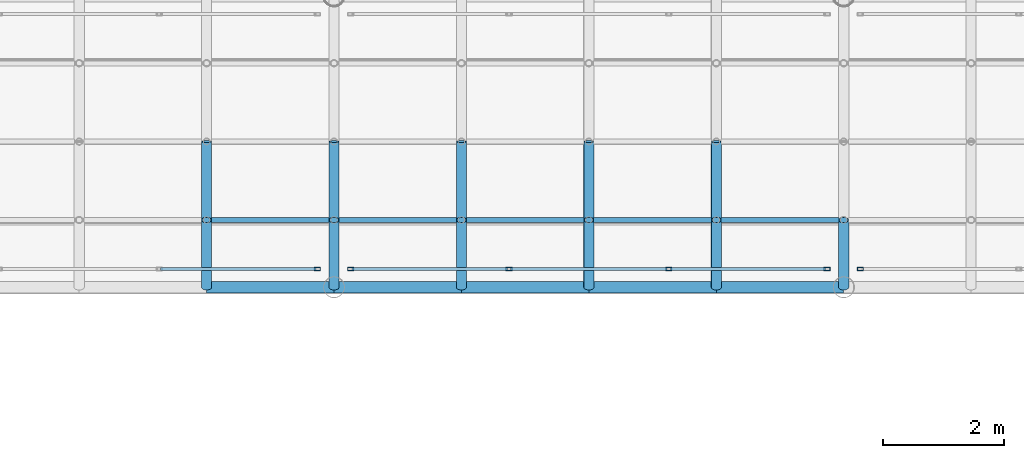
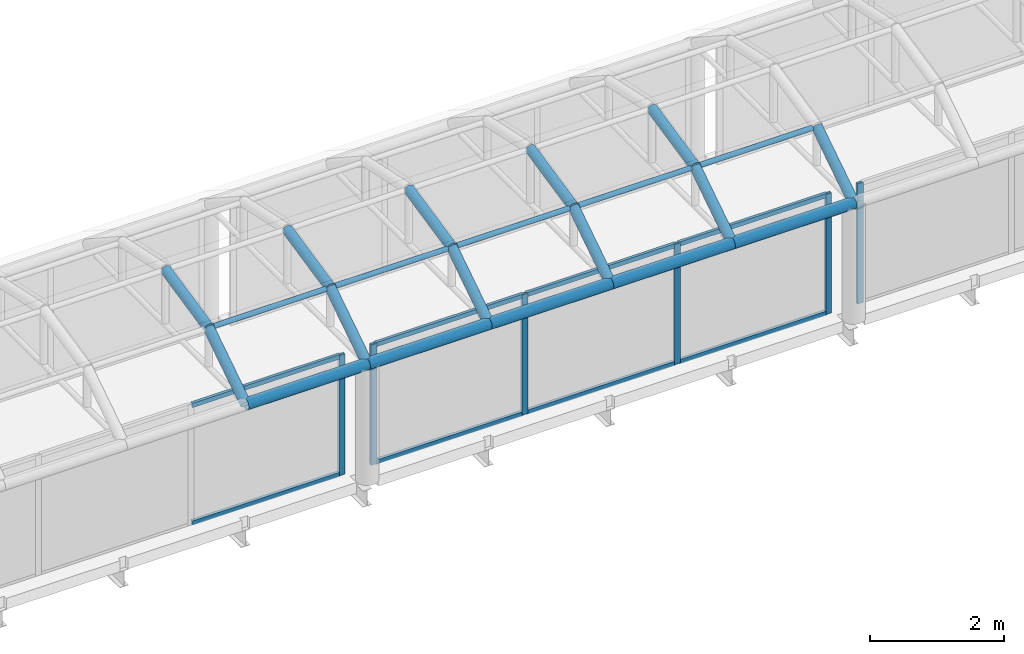
# One storey, part 99 of 167: 35 members, 3 elements without a shape of their own.
"""IFC4 building model written with IfcOpenShell, lengths in metres."""

import ifcopenshell
import ifcopenshell.guid

model = None  # the IFC model being written
_history = None  # IfcOwnerHistory: only IFC2X3 demands one
_inside = {}  # id of a spatial element -> (the spatial element, [elements in it])
_under = {}  # id of a project, library or spatial element -> (it, [spatial elements below it])
_declared = {}  # id of a project -> (the project, [libraries it declares])
_typed = {}  # id of a type object -> (the type object, [elements of that type])
_made_of = {}  # id of a material, layer set ... -> (it, [elements and type objects made of it])


def new_model(schema):
    """Start an empty IFC model of exactly this schema.

    Asked for "IFC4X3", IfcOpenShell would pick the latest addendum, in which some entities
    have other attributes; the version numbers below select the first issue.
    IFC2X3 requires an IfcOwnerHistory on every rooted entity: one is made here for all.
    """
    global model, _history
    if schema == "IFC4X3":
        model = ifcopenshell.file(schema_version=(4, 3, 0, 0))
    else:
        model = ifcopenshell.file(schema=schema)
    _inside.clear()
    _under.clear()
    _declared.clear()
    _typed.clear()
    _made_of.clear()
    _history = None
    if model.schema == "IFC2X3":
        org = make("IfcOrganization", Name="unknown")
        user = make(
            "IfcPersonAndOrganization",
            ThePerson=make("IfcPerson", FamilyName="unknown"),
            TheOrganization=org,
        )
        app = make(
            "IfcApplication",
            ApplicationDeveloper=org,
            Version="unknown",
            ApplicationFullName="unknown",
            ApplicationIdentifier="unknown",
        )
        _history = make(
            "IfcOwnerHistory",
            OwningUser=user,
            OwningApplication=app,
            ChangeAction="ADDED",
            CreationDate=0,
        )
    return model


def make(cls, **values):
    """One entity of the class cls with the attributes given. An attribute that is None is left unset."""
    return model.create_entity(
        cls, **{name: value for name, value in values.items() if value is not None}
    )


def rooted(cls, **values):
    """An entity with a GlobalId (a new one), such as an element, a storey or a relation."""
    return make(cls, GlobalId=ifcopenshell.guid.new(), OwnerHistory=_history, **values)


def si_unit(unit_type, name, prefix=None):
    """IfcSIUnit, for example si_unit("LENGTHUNIT", "METRE", prefix="MILLI")."""
    return make("IfcSIUnit", UnitType=unit_type, Prefix=prefix, Name=name)


def assignment(units):
    """IfcUnitAssignment: the units of a project."""
    return None if units is None else make("IfcUnitAssignment", Units=units)


def point(xyz):
    """IfcCartesianPoint."""
    return None if xyz is None else make("IfcCartesianPoint", Coordinates=xyz)


def direction(xyz):
    """IfcDirection."""
    return None if xyz is None else make("IfcDirection", DirectionRatios=xyz)


def frame(location, z_axis=None, x_axis=None):
    """IfcAxis2Placement3D, a coordinate frame: its origin and axes. An axis left out is left unset."""
    return make(
        "IfcAxis2Placement3D",
        Location=point(location),
        Axis=direction(z_axis),
        RefDirection=direction(x_axis),
    )


def frame_2d(location, x_axis=None):
    """IfcAxis2Placement2D, a coordinate frame in the plane: its origin and x axis."""
    return make(
        "IfcAxis2Placement2D", Location=point(location), RefDirection=direction(x_axis)
    )


def origin():
    """The frame at (0, 0, 0) with its axes left unset."""
    return frame((0.0, 0.0, 0.0))


def origin_2d():
    """The frame at (0, 0) in the plane with its x axis left unset."""
    return frame_2d((0.0, 0.0))


def place(relative_to, where):
    """IfcLocalPlacement: puts the frame where relative to a parent placement (None: the world)."""
    return make(
        "IfcLocalPlacement", PlacementRelTo=relative_to, RelativePlacement=where
    )


def context(
    kind, dimensions, precision=None, world=None, true_north=None, identifier=None
):
    """IfcGeometricRepresentationContext, for example the 3D "Model" context."""
    return make(
        "IfcGeometricRepresentationContext",
        ContextIdentifier=identifier,
        ContextType=kind,
        CoordinateSpaceDimension=dimensions,
        Precision=precision,
        WorldCoordinateSystem=world,
        TrueNorth=true_north,
    )


def subcontext(parent, identifier, kind, view, scale=None):
    """IfcGeometricRepresentationSubContext, for example "Body" below "Model"."""
    return make(
        "IfcGeometricRepresentationSubContext",
        ContextIdentifier=identifier,
        ContextType=kind,
        ParentContext=parent,
        TargetScale=scale,
        TargetView=view,
    )


def project(units=None, contexts=None):
    """IfcProject with its units and contexts."""
    return rooted(
        "IfcProject",
        Name="project",
        RepresentationContexts=contexts,
        UnitsInContext=assignment(units),
    )


def spatial(cls, under=None, at=None, **own):
    """A site, building, storey or space (cls), placed at a placement, below another one or the project."""
    s = rooted(cls, ObjectPlacement=at, **own)
    if under is not None:
        _under.setdefault(under.id(), (under, []))[1].append(s)
    return s


def profile(cls, at=None, kind="AREA", **sizes):
    """A parametric profile (cls). Its sizes go by their IFC names, for example OverallWidth=200.0."""
    return make(cls, ProfileType=kind, Position=at, **sizes)


def hollow_rectangle(**sizes):
    """IfcRectangleHollowProfileDef."""
    return profile("IfcRectangleHollowProfileDef", **sizes)


def hollow_circle(**sizes):
    """IfcCircleHollowProfileDef."""
    return profile("IfcCircleHollowProfileDef", **sizes)


def extrude(swept, where, along, depth):
    """IfcExtrudedAreaSolid: the profile swept, set in the frame where, extruded along a direction by depth."""
    return make(
        "IfcExtrudedAreaSolid",
        SweptArea=swept,
        Position=where,
        ExtrudedDirection=direction(along),
        Depth=depth,
    )


def shape(context_of_items, identifier, shape_type, items):
    """IfcShapeRepresentation: the items that make up one representation, for example the "Body"."""
    return make(
        "IfcShapeRepresentation",
        ContextOfItems=context_of_items,
        RepresentationIdentifier=identifier,
        RepresentationType=shape_type,
        Items=items,
    )


def material(Name=None, Category=None):
    """IfcMaterial."""
    return make("IfcMaterial", Name=Name, Category=Category)


def material_profile(
    of_material, cross_section, Name=None, Category=None, Priority=None
):
    """IfcMaterialProfile: a cross section and its material."""
    return make(
        "IfcMaterialProfile",
        Name=Name,
        Material=of_material,
        Profile=cross_section,
        Priority=Priority,
        Category=Category,
    )


def profile_set(profiles, Name=None, composite=None):
    """IfcMaterialProfileSet."""
    return make(
        "IfcMaterialProfileSet",
        Name=Name,
        MaterialProfiles=profiles,
        CompositeProfile=composite,
    )


def made_of(thing, what):
    """Note that an element or type object is made of a material, layer set ...; save() writes the relation."""
    if what is not None:
        _made_of.setdefault(what.id(), (what, []))[1].append(thing)
    return thing


def type_object(cls, material=None, **own):
    """A type object (cls), such as IfcWallType, which elements share."""
    return made_of(rooted(cls, **own), material)


def element(
    cls,
    number,
    at=None,
    inside=None,
    cuts=None,
    type_object=None,
    material=None,
    context=None,
    identifier="Body",
    shape_type=None,
    held_by="IfcProductDefinitionShape",
    body=None,
    shapes=None,
    **own,
):
    """One element of the class cls, such as IfcWall. Its Tag is "e" and its number.

    at: its placement. inside: the storey or other place that contains it. cuts: it is an
    opening in that element (IfcRelVoidsElement). A single representation is given by context,
    identifier, shape_type and body (its items); several are given by shapes. held_by: the class
    of the entity that holds the representations. save() writes the other relations.
    """
    e = rooted(cls, Tag="e%d" % number, ObjectPlacement=at, **own)
    if body is not None:
        shapes = [shape(context, identifier, shape_type, body)]
    if shapes is not None:
        e.Representation = make(held_by, Representations=shapes)
    if inside is not None:
        _inside.setdefault(inside.id(), (inside, []))[1].append(e)
    if cuts is not None:
        rooted(
            "IfcRelVoidsElement", RelatingBuildingElement=cuts, RelatedOpeningElement=e
        )
    if type_object is not None:
        _typed.setdefault(type_object.id(), (type_object, []))[1].append(e)
    return made_of(e, material)


def aggregate(whole, parts):
    """IfcRelAggregates: a whole, such as a stair, and the parts it consists of."""
    return rooted("IfcRelAggregates", RelatingObject=whole, RelatedObjects=parts)


def save(model, path):
    """Write the relations noted so far, then the file.

    IfcRelAggregates (storeys below a building ...), IfcRelContainedInSpatialStructure (elements
    in a storey), IfcRelDefinesByType, IfcRelAssociatesMaterial and IfcRelDeclares: one each for
    every whole, place, type object, material and project.
    """
    for whole, parts in _under.values():
        aggregate(whole, parts)
    for where, things in _inside.values():
        rooted(
            "IfcRelContainedInSpatialStructure",
            RelatedElements=things,
            RelatingStructure=where,
        )
    for kind, things in _typed.values():
        rooted("IfcRelDefinesByType", RelatedObjects=things, RelatingType=kind)
    for what, things in _made_of.values():
        rooted("IfcRelAssociatesMaterial", RelatedObjects=things, RelatingMaterial=what)
    for by, libraries in _declared.values():
        rooted("IfcRelDeclares", RelatingContext=by, RelatedDefinitions=libraries)
    model.write(path)


model = new_model("IFC4")

# Units and contexts
model_context = context("Model", 3, precision=1e-05, world=origin(), true_north=direction((0.0, 1.0)))
body_context = subcontext(model_context, "Body", "Model", "MODEL_VIEW")
ifc_project = project(units=[si_unit("LENGTHUNIT", "METRE"), si_unit("AREAUNIT", "SQUARE_METRE"), si_unit("VOLUMEUNIT", "CUBIC_METRE"), si_unit("PLANEANGLEUNIT", "RADIAN"), si_unit("MASSUNIT", "GRAM", prefix="KILO")], contexts=[model_context])

# Site, building, storey
site_placement = place(None, origin())
site = spatial("IfcSite", under=ifc_project, at=site_placement, CompositionType="ELEMENT")
building_placement = place(site_placement, origin())
building = spatial("IfcBuilding", under=site, at=building_placement, Name="Catenary Quay Ferry Terminal", CompositionType="ELEMENT")
storey_placement = place(building_placement, frame((0.0, 0.0, 6.0)))
storey = spatial("IfcBuildingStorey", under=building, at=storey_placement, Name="L01", CompositionType="ELEMENT", Elevation=6.0)

# Curtain wall, member
ifc_material_1 = material(Name="Aluminium and glass", Category="aluminium")
curtain_wall_type = type_object("IfcCurtainWallType", Name="CWB", PredefinedType="NOTDEFINED", material=ifc_material_1)
curtain_wall_1_placement = place(storey_placement, origin())
curtain_wall_1 = element("IfcCurtainWall", 1, at=curtain_wall_1_placement, inside=storey, type_object=curtain_wall_type, Name="BB2 curtain wall CW65", PredefinedType="NOTDEFINED")
ifc_material_2 = material(Name="Aluminium", Category="aluminium")
ifc_material_profile_1 = material_profile(ifc_material_2, hollow_rectangle(XDim=0.050048828125, YDim=0.10009765625, WallThickness=0.0048828125, at=origin_2d()), Name="MU1")
ifc_profile_set_1 = profile_set([ifc_material_profile_1], Name="Aluminium")
member_type_1 = type_object("IfcMemberType", Name="MU1", PredefinedType="MULLION", material=ifc_profile_set_1)
member_1_placement = place(storey_placement, frame((108.925048828125, 90.300048828125, 0.0), z_axis=(0.0, 0.0, 1.0), x_axis=(0.0, 1.0, 0.0)))
member_1 = element("IfcMember", 2, at=member_1_placement, type_object=member_type_1, Name="CW65 mullion 4", PredefinedType="MULLION", context=body_context, shape_type="SweptSolid", body=[
    extrude(hollow_rectangle(XDim=0.050048828125, YDim=0.10009765625, WallThickness=0.0048828125, at=origin_2d()), origin(), (0.0, 0.0, 1.0), 2.195068359375),
])

# Curtain wall, members
curtain_wall_2_placement = place(storey_placement, origin())
curtain_wall_2 = element("IfcCurtainWall", 3, at=curtain_wall_2_placement, inside=storey, type_object=curtain_wall_type, Name="BB2 curtain wall CW66", PredefinedType="NOTDEFINED")
member_2_placement = place(storey_placement, frame((109.47509765625, 90.300048828125, 0.0), z_axis=(0.0, 0.0, 1.0), x_axis=(0.0, 1.0, 0.0)))
member_2 = element("IfcMember", 4, at=member_2_placement, type_object=member_type_1, Name="CW66 mullion 1", PredefinedType="MULLION", context=body_context, shape_type="SweptSolid", body=[
    extrude(hollow_rectangle(XDim=0.050048828125, YDim=0.10009765625, WallThickness=0.0048828125, at=origin_2d()), origin(), (0.0, 0.0, 1.0), 2.195068359375),
])
member_3_placement = place(storey_placement, frame((112.083251953125, 90.300048828125, 0.0), z_axis=(0.0, 0.0, 1.0), x_axis=(0.0, 1.0, 0.0)))
member_3 = element("IfcMember", 5, at=member_3_placement, type_object=member_type_1, Name="CW66 mullion 2", PredefinedType="MULLION", context=body_context, shape_type="SweptSolid", body=[
    extrude(hollow_rectangle(XDim=0.050048828125, YDim=0.10009765625, WallThickness=0.0048828125, at=origin_2d()), origin(), (0.0, 0.0, 1.0), 2.195068359375),
])
member_4_placement = place(storey_placement, frame((114.716552734375, 90.300048828125, 0.0), z_axis=(0.0, 0.0, 1.0), x_axis=(0.0, 1.0, 0.0)))
member_4 = element("IfcMember", 6, at=member_4_placement, type_object=member_type_1, Name="CW66 mullion 3", PredefinedType="MULLION", context=body_context, shape_type="SweptSolid", body=[
    extrude(hollow_rectangle(XDim=0.050048828125, YDim=0.10009765625, WallThickness=0.0048828125, at=origin_2d()), origin(), (0.0, 0.0, 1.0), 2.195068359375),
])
member_5_placement = place(storey_placement, frame((117.324951171875, 90.300048828125, 0.0), z_axis=(0.0, 0.0, 1.0), x_axis=(0.0, 1.0, 0.0)))
member_5 = element("IfcMember", 7, at=member_5_placement, type_object=member_type_1, Name="CW66 mullion 4", PredefinedType="MULLION", context=body_context, shape_type="SweptSolid", body=[
    extrude(hollow_rectangle(XDim=0.050048828125, YDim=0.10009765625, WallThickness=0.0048828125, at=origin_2d()), origin(), (0.0, 0.0, 1.0), 2.195068359375),
])

# Curtain wall, member
curtain_wall_3_placement = place(storey_placement, origin())
curtain_wall_3 = element("IfcCurtainWall", 8, at=curtain_wall_3_placement, inside=storey, type_object=curtain_wall_type, Name="BB2 curtain wall CW67", PredefinedType="NOTDEFINED")
member_6_placement = place(storey_placement, frame((117.875, 90.300048828125, 0.0), z_axis=(0.0, 0.0, 1.0), x_axis=(0.0, 1.0, 0.0)))
member_6 = element("IfcMember", 9, at=member_6_placement, type_object=member_type_1, Name="CW67 mullion 1", PredefinedType="MULLION", context=body_context, shape_type="SweptSolid", body=[
    extrude(hollow_rectangle(XDim=0.050048828125, YDim=0.10009765625, WallThickness=0.0048828125, at=origin_2d()), origin(), (0.0, 0.0, 1.0), 2.195068359375),
])
aggregate(curtain_wall_3, [member_6])

# Members
ifc_material_3 = material(Name="Steel S355", Category="steel")
ifc_material_profile_2 = material_profile(ifc_material_3, hollow_circle(Radius=0.04443359375, WallThickness=0.0048828125, at=origin_2d()), Name="CHS 88.9x5")
ifc_profile_set_2 = profile_set([ifc_material_profile_2], Name="Steel S355")
member_type_2 = type_object("IfcMemberType", Name="PU3 CHS 88.9x5", PredefinedType="PURLIN", material=ifc_profile_set_2)
member_7_placement = place(storey_placement, frame((107.179931640625, 91.10791015625, 2.821044921875), z_axis=(1.0, 0.0, 0.0), x_axis=(0.0, 1.0, 0.0)))
element("IfcMember", 10, at=member_7_placement, inside=storey, type_object=member_type_2, Name="Purlin PU-RB2-08-01", PredefinedType="PURLIN", context=body_context, shape_type="SweptSolid", body=[
    extrude(hollow_circle(Radius=0.04443359375, WallThickness=0.0048828125, at=origin_2d()), origin(), (0.0, 0.0, 1.0), 1.940185546875),
])
member_8_placement = place(storey_placement, frame((109.280029296875, 91.10791015625, 2.821044921875), z_axis=(1.0, 0.0, 0.0), x_axis=(0.0, 1.0, 0.0)))
element("IfcMember", 11, at=member_8_placement, inside=storey, type_object=member_type_2, Name="Purlin PU-RB2-09-01", PredefinedType="PURLIN", context=body_context, shape_type="SweptSolid", body=[
    extrude(hollow_circle(Radius=0.04443359375, WallThickness=0.0048828125, at=origin_2d()), origin(), (0.0, 0.0, 1.0), 1.93994140625),
])
member_9_placement = place(storey_placement, frame((111.3798828125, 91.10791015625, 2.821044921875), z_axis=(1.0, 0.0, 0.0), x_axis=(0.0, 1.0, 0.0)))
element("IfcMember", 12, at=member_9_placement, inside=storey, type_object=member_type_2, Name="Purlin PU-RB2-10-01", PredefinedType="PURLIN", context=body_context, shape_type="SweptSolid", body=[
    extrude(hollow_circle(Radius=0.04443359375, WallThickness=0.0048828125, at=origin_2d()), origin(), (0.0, 0.0, 1.0), 1.940185546875),
])
for number, where, z_axis, x_axis, name in (
    (13, (113.47998046875, 91.10791015625, 2.821044921875), (1.0, 0.0, 0.0), (0.0, 1.0, 0.0), "Purlin PU-RB2-11-01"),
    (14, (115.580078125, 91.10791015625, 2.821044921875), (1.0, 0.0, 0.0), (0.0, 1.0, 0.0), "Purlin PU-RB2-12-01"),
):
    element("IfcMember", number, at=place(storey_placement, frame(where, z_axis=z_axis, x_axis=x_axis)), inside=storey, type_object=member_type_2, Name=name, PredefinedType="PURLIN", context=body_context, shape_type="SweptSolid", body=[
        extrude(hollow_circle(Radius=0.04443359375, WallThickness=0.0048828125, at=origin_2d()), origin(), (0.0, 0.0, 1.0), 1.93994140625),
    ])
ifc_material_4 = material(Name="Steel S355", Category="steel")
ifc_material_profile_3 = material_profile(ifc_material_4, hollow_circle(Radius=0.096923828125, WallThickness=0.010009765625, at=origin_2d()), Name="CHS 193.7x10")
ifc_profile_set_3 = profile_set([ifc_material_profile_3], Name="Steel S355")
member_type_3 = type_object("IfcMemberType", Name="TC2 CHS 193.7x10", PredefinedType="CHORD", material=ifc_profile_set_3)
member_10_placement = place(storey_placement, frame((107.10009765625, 90.0, 2.10009765625), z_axis=(1.0, 0.0, 0.0), x_axis=(0.0, 1.0, 0.0)))
element("IfcMember", 15, at=member_10_placement, inside=storey, type_object=member_type_3, Name="Bridge top chord BB2S-TC08", PredefinedType="CHORD", context=body_context, shape_type="SweptSolid", body=[
    extrude(hollow_circle(Radius=0.096923828125, WallThickness=0.010009765625, at=origin_2d()), origin(), (0.0, 0.0, 1.0), 2.099853515625),
])
member_11_placement = place(storey_placement, frame((109.199951171875, 90.0, 2.10009765625), z_axis=(1.0, 0.0, 0.0), x_axis=(0.0, 1.0, 0.0)))
element("IfcMember", 16, at=member_11_placement, inside=storey, type_object=member_type_3, Name="Bridge top chord BB2S-TC09", PredefinedType="CHORD", context=body_context, shape_type="SweptSolid", body=[
    extrude(hollow_circle(Radius=0.096923828125, WallThickness=0.010009765625, at=origin_2d()), origin(), (0.0, 0.0, 1.0), 2.10009765625),
])
member_12_placement = place(storey_placement, frame((111.300048828125, 90.0, 2.10009765625), z_axis=(1.0, 0.0, 0.0), x_axis=(0.0, 1.0, 0.0)))
element("IfcMember", 17, at=member_12_placement, inside=storey, type_object=member_type_3, Name="Bridge top chord BB2S-TC10", PredefinedType="CHORD", context=body_context, shape_type="SweptSolid", body=[
    extrude(hollow_circle(Radius=0.096923828125, WallThickness=0.010009765625, at=origin_2d()), origin(), (0.0, 0.0, 1.0), 2.099853515625),
])
for number, where, z_axis, x_axis, name in (
    (18, (113.39990234375, 90.0, 2.10009765625), (1.0, 0.0, 0.0), (0.0, 1.0, 0.0), "Bridge top chord BB2S-TC11"),
    (19, (115.5, 90.0, 2.10009765625), (1.0, 0.0, 0.0), (0.0, 1.0, 0.0), "Bridge top chord BB2S-TC12"),
):
    element("IfcMember", number, at=place(storey_placement, frame(where, z_axis=z_axis, x_axis=x_axis)), inside=storey, type_object=member_type_3, Name=name, PredefinedType="CHORD", context=body_context, shape_type="SweptSolid", body=[
        extrude(hollow_circle(Radius=0.096923828125, WallThickness=0.010009765625, at=origin_2d()), origin(), (0.0, 0.0, 1.0), 2.10009765625),
    ])

# Member
ifc_material_5 = material(Name="Aluminium", Category="aluminium")
ifc_material_profile_4 = material_profile(ifc_material_5, hollow_rectangle(XDim=0.050048828125, YDim=0.080078125, WallThickness=0.00390625, at=origin_2d()), Name="TR1")
ifc_profile_set_4 = profile_set([ifc_material_profile_4], Name="Aluminium")
member_type_4 = type_object("IfcMemberType", Name="TR1", PredefinedType="USERDEFINED", material=ifc_profile_set_4)
member_13_placement = place(storey_placement, frame((106.341552734375, 90.300048828125, 0.02490234375), z_axis=(1.0, 0.0, 0.0), x_axis=(0.0, 1.0, 0.0)))
member_13 = element("IfcMember", 20, at=member_13_placement, type_object=member_type_4, Name="CW65 transom 3.1", ObjectType="TRANSOM", PredefinedType="USERDEFINED", context=body_context, shape_type="SweptSolid", body=[
    extrude(hollow_rectangle(XDim=0.050048828125, YDim=0.080078125, WallThickness=0.00390625, at=origin_2d()), origin(), (0.0, 0.0, 1.0), 2.558349609375),
])

member_14_placement = place(storey_placement, frame((106.341552734375, 90.300048828125, 2.169921875), z_axis=(1.0, 0.0, 0.0), x_axis=(0.0, 1.0, 0.0)))
member_14 = element("IfcMember", 21, at=member_14_placement, type_object=member_type_4, Name="CW65 transom 3.2", ObjectType="TRANSOM", PredefinedType="USERDEFINED", context=body_context, shape_type="SweptSolid", body=[
    extrude(hollow_rectangle(XDim=0.050048828125, YDim=0.080078125, WallThickness=0.00390625, at=origin_2d()), origin(), (0.0, 0.0, 1.0), 2.558349609375),
])

aggregate(curtain_wall_1, [member_1, member_13, member_14])

member_15_placement = place(storey_placement, frame((109.5, 90.300048828125, 0.02490234375), z_axis=(1.0, 0.0, 0.0), x_axis=(0.0, 1.0, 0.0)))
member_15 = element("IfcMember", 22, at=member_15_placement, type_object=member_type_4, Name="CW66 transom 1.1", ObjectType="TRANSOM", PredefinedType="USERDEFINED", context=body_context, shape_type="SweptSolid", body=[
    extrude(hollow_rectangle(XDim=0.050048828125, YDim=0.080078125, WallThickness=0.00390625, at=origin_2d()), origin(), (0.0, 0.0, 1.0), 2.558349609375),
])

member_16_placement = place(storey_placement, frame((109.5, 90.300048828125, 2.169921875), z_axis=(1.0, 0.0, 0.0), x_axis=(0.0, 1.0, 0.0)))
member_16 = element("IfcMember", 23, at=member_16_placement, type_object=member_type_4, Name="CW66 transom 1.2", ObjectType="TRANSOM", PredefinedType="USERDEFINED", context=body_context, shape_type="SweptSolid", body=[
    extrude(hollow_rectangle(XDim=0.050048828125, YDim=0.080078125, WallThickness=0.00390625, at=origin_2d()), origin(), (0.0, 0.0, 1.0), 2.558349609375),
])

member_17_placement = place(storey_placement, frame((112.1083984375, 90.300048828125, 0.02490234375), z_axis=(1.0, 0.0, 0.0), x_axis=(0.0, 1.0, 0.0)))
member_17 = element("IfcMember", 24, at=member_17_placement, type_object=member_type_4, Name="CW66 transom 2.1", ObjectType="TRANSOM", PredefinedType="USERDEFINED", context=body_context, shape_type="SweptSolid", body=[
    extrude(hollow_rectangle(XDim=0.050048828125, YDim=0.080078125, WallThickness=0.00390625, at=origin_2d()), origin(), (0.0, 0.0, 1.0), 2.583251953125),
])

member_18_placement = place(storey_placement, frame((112.1083984375, 90.300048828125, 2.169921875), z_axis=(1.0, 0.0, 0.0), x_axis=(0.0, 1.0, 0.0)))
member_18 = element("IfcMember", 25, at=member_18_placement, type_object=member_type_4, Name="CW66 transom 2.2", ObjectType="TRANSOM", PredefinedType="USERDEFINED", context=body_context, shape_type="SweptSolid", body=[
    extrude(hollow_rectangle(XDim=0.050048828125, YDim=0.080078125, WallThickness=0.00390625, at=origin_2d()), origin(), (0.0, 0.0, 1.0), 2.583251953125),
])

member_19_placement = place(storey_placement, frame((114.74169921875, 90.300048828125, 0.02490234375), z_axis=(1.0, 0.0, 0.0), x_axis=(0.0, 1.0, 0.0)))
member_19 = element("IfcMember", 26, at=member_19_placement, type_object=member_type_4, Name="CW66 transom 3.1", ObjectType="TRANSOM", PredefinedType="USERDEFINED", context=body_context, shape_type="SweptSolid", body=[
    extrude(hollow_rectangle(XDim=0.050048828125, YDim=0.080078125, WallThickness=0.00390625, at=origin_2d()), origin(), (0.0, 0.0, 1.0), 2.558349609375),
])

member_20_placement = place(storey_placement, frame((114.74169921875, 90.300048828125, 2.169921875), z_axis=(1.0, 0.0, 0.0), x_axis=(0.0, 1.0, 0.0)))
member_20 = element("IfcMember", 27, at=member_20_placement, type_object=member_type_4, Name="CW66 transom 3.2", ObjectType="TRANSOM", PredefinedType="USERDEFINED", context=body_context, shape_type="SweptSolid", body=[
    extrude(hollow_rectangle(XDim=0.050048828125, YDim=0.080078125, WallThickness=0.00390625, at=origin_2d()), origin(), (0.0, 0.0, 1.0), 2.558349609375),
])

aggregate(curtain_wall_2, [member_2, member_3, member_4, member_5, member_15, member_16, member_17, member_18, member_19, member_20])

# Members
ifc_material_6 = material(Name="Steel S355", Category="steel")
ifc_material_profile_5 = material_profile(ifc_material_6, hollow_circle(Radius=0.084228515625, WallThickness=0.008056640625, at=origin_2d()), Name="CHS 168.3x8")
ifc_profile_set_5 = profile_set([ifc_material_profile_5], Name="Steel S355")
member_type_5 = type_object("IfcMemberType", Name="VR4 CHS 168.3x8", PredefinedType="RAFTER", material=ifc_profile_set_5)
for number, where, z_axis, x_axis, name in (
    (28, (107.10009765625, 90.0, 2.10009765625), (0.0, 0.838164997293, 0.545416755621), (-1.0, 0.0, 0.0), "rib RB2-08-01"),
    (29, (107.10009765625, 91.10791015625, 2.821044921875), (0.0, 0.977460543774, 0.211118178672), (-1.0, 0.0, 0.0), "rib RB2-08-02"),
    (30, (109.199951171875, 90.0, 2.10009765625), (0.0, 0.838164997293, 0.545416755621), (-1.0, 0.0, 0.0), "rib RB2-09-01"),
    (31, (109.199951171875, 91.10791015625, 2.821044921875), (0.0, 0.977460543774, 0.211118178672), (-1.0, 0.0, 0.0), "rib RB2-09-02"),
    (32, (111.300048828125, 90.0, 2.10009765625), (0.0, 0.838164997293, 0.545416755621), (-1.0, 0.0, 0.0), "rib RB2-10-01"),
    (33, (111.300048828125, 91.10791015625, 2.821044921875), (0.0, 0.977460543774, 0.211118178672), (-1.0, 0.0, 0.0), "rib RB2-10-02"),
    (34, (113.39990234375, 90.0, 2.10009765625), (0.0, 0.838164997293, 0.545416755621), (-1.0, 0.0, 0.0), "rib RB2-11-01"),
    (35, (113.39990234375, 91.10791015625, 2.821044921875), (0.0, 0.977460543774, 0.211118178672), (-1.0, 0.0, 0.0), "rib RB2-11-02"),
    (36, (115.5, 90.0, 2.10009765625), (0.0, 0.838164997293, 0.545416755621), (-1.0, 0.0, 0.0), "rib RB2-12-01"),
    (37, (115.5, 91.10791015625, 2.821044921875), (0.0, 0.977460543774, 0.211118178672), (-1.0, 0.0, 0.0), "rib RB2-12-02"),
    (38, (117.60009765625, 90.0, 2.10009765625), (0.0, 0.838164997293, 0.545416755621), (-1.0, 0.0, 0.0), "rib RB2-13-01"),
):
    element("IfcMember", number, at=place(storey_placement, frame(where, z_axis=z_axis, x_axis=x_axis)), inside=storey, type_object=member_type_5, Name=name, PredefinedType="RAFTER", context=body_context, shape_type="SweptSolid", body=[
        extrude(hollow_circle(Radius=0.084228515625, WallThickness=0.008056640625, at=origin_2d()), origin(), (0.0, 0.0, 1.0), 1.32177734375),
    ])

save(model, "model.ifc")
